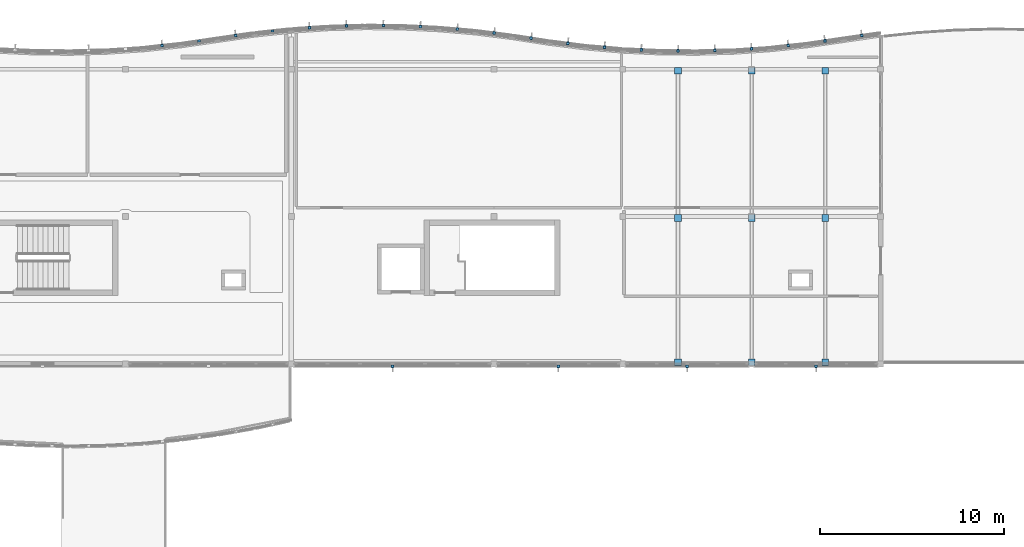
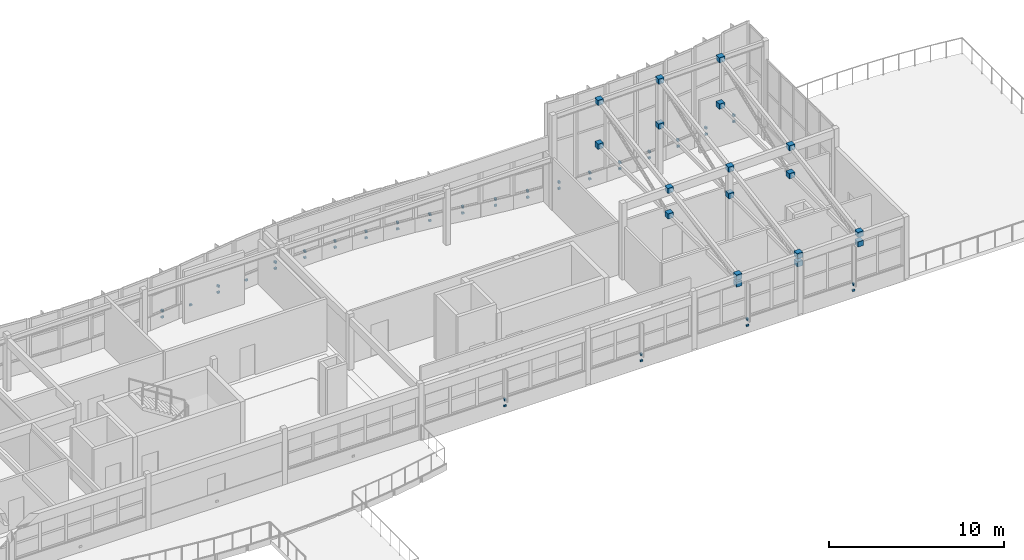
# One storey, part 26 of 33: 64 discrete accessories.
"""IFC4 building model written with IfcOpenShell, lengths in metres."""

from ifc_helpers import new_model, si_unit, direction, frame, origin, origin_2d, place, context, subcontext, project, spatial, rectangle, extrude, material, type_object, element, save


model = new_model("IFC4")

# Units and contexts
model_context = context("Model", 3, precision=1e-05, world=origin(), true_north=direction((0.0, 1.0)))
body_context = subcontext(model_context, "Body", "Model", "MODEL_VIEW")
ifc_project = project(units=[si_unit("LENGTHUNIT", "METRE"), si_unit("AREAUNIT", "SQUARE_METRE"), si_unit("VOLUMEUNIT", "CUBIC_METRE"), si_unit("PLANEANGLEUNIT", "RADIAN"), si_unit("MASSUNIT", "GRAM", prefix="KILO")], contexts=[model_context])

# Site, building, storey
site_placement = place(None, origin())
site = spatial("IfcSite", under=ifc_project, at=site_placement, CompositionType="ELEMENT")
building_placement = place(site_placement, origin())
building = spatial("IfcBuilding", under=site, at=building_placement, Name="Tonlespit Floodbar School", CompositionType="ELEMENT")
storey_placement = place(building_placement, frame((0.0, 0.0, 16.199951171875)))
storey = spatial("IfcBuildingStorey", under=building, at=storey_placement, Name="L04", CompositionType="ELEMENT", Elevation=16.199951171875)

# Discrete accessories
ifc_material_1 = material(Name="Galvanised Steel", Category="steel")
discrete_accessory_type_1 = type_object("IfcDiscreteAccessoryType", Name="Bracket_Facade_S355", PredefinedType="BRACKET", material=ifc_material_1)
discrete_accessory_1_placement = place(storey_placement, frame((108.986328125, 121.28125, 0.35498046875), z_axis=(0.0, 0.0, 1.0), x_axis=(0.99439234017, 0.105753835922, 0.0)))
element("IfcDiscreteAccessory", 1, at=discrete_accessory_1_placement, inside=storey, type_object=discrete_accessory_type_1, Name="L04 white band support bracket 0329", PredefinedType="BRACKET", context=body_context, shape_type="SweptSolid", body=[
    extrude(rectangle(XDim=0.159912109375, YDim=0.1201171875, at=origin_2d()), origin(), (0.0, 0.0, 1.0), 0.1201171875),
])
discrete_accessory_2_placement = place(storey_placement, frame((108.985107421875, 121.291259765625, 0.7802734375), z_axis=(0.0, 0.0, 1.0), x_axis=(0.99439234017, 0.105753835922, 0.0)))
element("IfcDiscreteAccessory", 2, at=discrete_accessory_2_placement, inside=storey, type_object=discrete_accessory_type_1, Name="Solar fin support bracket 090", PredefinedType="BRACKET", context=body_context, shape_type="SweptSolid", body=[
    extrude(rectangle(XDim=0.1201171875, YDim=0.179931640625, at=origin_2d()), origin(), (0.0, 0.0, 1.0), 0.139892578125),
])
for number, where, z_axis, x_axis, name in (
    (3, (110.981201171875, 121.53271484375, 0.35498046875), (0.0, 0.0, 1.0), (0.989537627347, 0.144275029245, 0.0), "L04 white band support bracket 0330"),
    (4, (112.981201171875, 121.824462890625, 0.35498046875), (0.0, 0.0, 1.0), (0.989537627347, 0.144275029245, 0.0), "L04 white band support bracket 0331"),
):
    element("IfcDiscreteAccessory", number, at=place(storey_placement, frame(where, z_axis=z_axis, x_axis=x_axis)), inside=storey, type_object=discrete_accessory_type_1, Name=name, PredefinedType="BRACKET", context=body_context, shape_type="SweptSolid", body=[
        extrude(rectangle(XDim=0.159912109375, YDim=0.1201171875, at=origin_2d()), origin(), (0.0, 0.0, 1.0), 0.1201171875),
    ])
discrete_accessory_3_placement = place(storey_placement, frame((112.979736328125, 121.834228515625, 0.7802734375), z_axis=(0.0, 0.0, 1.0), x_axis=(0.989537627347, 0.144275029245, 0.0)))
element("IfcDiscreteAccessory", 5, at=discrete_accessory_3_placement, inside=storey, type_object=discrete_accessory_type_1, Name="Solar fin support bracket 091", PredefinedType="BRACKET", context=body_context, shape_type="SweptSolid", body=[
    extrude(rectangle(XDim=0.1201171875, YDim=0.179931640625, at=origin_2d()), origin(), (0.0, 0.0, 1.0), 0.139892578125),
])
for number, where, z_axis, x_axis, name in (
    (6, (114.986328125, 122.0771484375, 0.35498046875), (0.0, 0.0, 1.0), (0.99439234017, 0.105753835922, 0.0), "L04 white band support bracket 0332"),
    (7, (116.9912109375, 122.25146484375, 0.35498046875), (0.0, 0.0, 1.0), (0.997729639049, 0.067346621018, 0.0), "L04 white band support bracket 0726"),
):
    element("IfcDiscreteAccessory", number, at=place(storey_placement, frame(where, z_axis=z_axis, x_axis=x_axis)), inside=storey, type_object=discrete_accessory_type_1, Name=name, PredefinedType="BRACKET", context=body_context, shape_type="SweptSolid", body=[
        extrude(rectangle(XDim=0.159912109375, YDim=0.1201171875, at=origin_2d()), origin(), (0.0, 0.0, 1.0), 0.1201171875),
    ])
discrete_accessory_4_placement = place(storey_placement, frame((116.990478515625, 122.261474609375, 0.7802734375), z_axis=(0.0, 0.0, 1.0), x_axis=(0.997729639049, 0.067346621018, 0.0)))
element("IfcDiscreteAccessory", 8, at=discrete_accessory_4_placement, inside=storey, type_object=discrete_accessory_type_1, Name="Solar fin support bracket 325", PredefinedType="BRACKET", context=body_context, shape_type="SweptSolid", body=[
    extrude(rectangle(XDim=0.1201171875, YDim=0.179931640625, at=origin_2d()), origin(), (0.0, 0.0, 1.0), 0.139892578125),
])
discrete_accessory_5_placement = place(storey_placement, frame((118.996337890625, 122.34814453125, 0.35498046875), z_axis=(0.0, 0.0, 1.0), x_axis=(0.999584110869, 0.02883756748, 0.0)))
element("IfcDiscreteAccessory", 9, at=discrete_accessory_5_placement, inside=storey, type_object=discrete_accessory_type_1, Name="L04 white band support bracket 0727", PredefinedType="BRACKET", context=body_context, shape_type="SweptSolid", body=[
    extrude(rectangle(XDim=0.159912109375, YDim=0.1201171875, at=origin_2d()), origin(), (0.0, 0.0, 1.0), 0.1201171875),
])
discrete_accessory_6_placement = place(storey_placement, frame((118.99609375, 122.358154296875, 0.7802734375), z_axis=(0.0, 0.0, 1.0), x_axis=(0.999584110869, 0.02883756748, 0.0)))
element("IfcDiscreteAccessory", 10, at=discrete_accessory_6_placement, inside=storey, type_object=discrete_accessory_type_1, Name="Solar fin support bracket 326", PredefinedType="BRACKET", context=body_context, shape_type="SweptSolid", body=[
    extrude(rectangle(XDim=0.1201171875, YDim=0.179931640625, at=origin_2d()), origin(), (0.0, 0.0, 1.0), 0.139892578125),
])
discrete_accessory_7_placement = place(storey_placement, frame((121.001220703125, 122.367431640625, 0.35498046875), z_axis=(0.0, 0.0, 1.0), x_axis=(0.999953926969, -0.009599163462, 0.0)))
element("IfcDiscreteAccessory", 11, at=discrete_accessory_7_placement, inside=storey, type_object=discrete_accessory_type_1, Name="L04 white band support bracket 0728", PredefinedType="BRACKET", context=body_context, shape_type="SweptSolid", body=[
    extrude(rectangle(XDim=0.159912109375, YDim=0.1201171875, at=origin_2d()), origin(), (0.0, 0.0, 1.0), 0.1201171875),
])
discrete_accessory_8_placement = place(storey_placement, frame((121.001220703125, 122.37744140625, 0.7802734375), z_axis=(0.0, 0.0, 1.0), x_axis=(0.999953926969, -0.009599163462, 0.0)))
element("IfcDiscreteAccessory", 12, at=discrete_accessory_8_placement, inside=storey, type_object=discrete_accessory_type_1, Name="Solar fin support bracket 327", PredefinedType="BRACKET", context=body_context, shape_type="SweptSolid", body=[
    extrude(rectangle(XDim=0.1201171875, YDim=0.179931640625, at=origin_2d()), origin(), (0.0, 0.0, 1.0), 0.139892578125),
])
discrete_accessory_9_placement = place(storey_placement, frame((123.00634765625, 122.3095703125, 0.35498046875), z_axis=(0.0, 0.0, 1.0), x_axis=(0.998842769234, -0.048094930587, 0.0)))
element("IfcDiscreteAccessory", 13, at=discrete_accessory_9_placement, inside=storey, type_object=discrete_accessory_type_1, Name="L04 white band support bracket 0729", PredefinedType="BRACKET", context=body_context, shape_type="SweptSolid", body=[
    extrude(rectangle(XDim=0.159912109375, YDim=0.1201171875, at=origin_2d()), origin(), (0.0, 0.0, 1.0), 0.1201171875),
])
discrete_accessory_10_placement = place(storey_placement, frame((123.006591796875, 122.319580078125, 0.7802734375), z_axis=(0.0, 0.0, 1.0), x_axis=(0.998842769234, -0.048094930587, 0.0)))
element("IfcDiscreteAccessory", 14, at=discrete_accessory_10_placement, inside=storey, type_object=discrete_accessory_type_1, Name="Solar fin support bracket 328", PredefinedType="BRACKET", context=body_context, shape_type="SweptSolid", body=[
    extrude(rectangle(XDim=0.1201171875, YDim=0.179931640625, at=origin_2d()), origin(), (0.0, 0.0, 1.0), 0.139892578125),
])
discrete_accessory_11_placement = place(storey_placement, frame((125.01123046875, 122.174072265625, 0.35498046875), z_axis=(0.0, 0.0, 1.0), x_axis=(0.996245486492, -0.086573267488, 0.0)))
element("IfcDiscreteAccessory", 15, at=discrete_accessory_11_placement, inside=storey, type_object=discrete_accessory_type_1, Name="L04 white band support bracket 0730", PredefinedType="BRACKET", context=body_context, shape_type="SweptSolid", body=[
    extrude(rectangle(XDim=0.159912109375, YDim=0.1201171875, at=origin_2d()), origin(), (0.0, 0.0, 1.0), 0.1201171875),
])
discrete_accessory_12_placement = place(storey_placement, frame((125.01220703125, 122.18408203125, 0.7802734375), z_axis=(0.0, 0.0, 1.0), x_axis=(0.996245486492, -0.086573267488, 0.0)))
element("IfcDiscreteAccessory", 16, at=discrete_accessory_12_placement, inside=storey, type_object=discrete_accessory_type_1, Name="Solar fin support bracket 329", PredefinedType="BRACKET", context=body_context, shape_type="SweptSolid", body=[
    extrude(rectangle(XDim=0.1201171875, YDim=0.179931640625, at=origin_2d()), origin(), (0.0, 0.0, 1.0), 0.139892578125),
])
discrete_accessory_13_placement = place(storey_placement, frame((127.016357421875, 121.960693359375, 0.35498046875), z_axis=(0.0, 0.0, 1.0), x_axis=(0.99215533612, -0.125011155539, 0.0)))
element("IfcDiscreteAccessory", 17, at=discrete_accessory_13_placement, inside=storey, type_object=discrete_accessory_type_1, Name="L04 white band support bracket 0731", PredefinedType="BRACKET", context=body_context, shape_type="SweptSolid", body=[
    extrude(rectangle(XDim=0.159912109375, YDim=0.1201171875, at=origin_2d()), origin(), (0.0, 0.0, 1.0), 0.1201171875),
])
discrete_accessory_14_placement = place(storey_placement, frame((127.017578125, 121.970703125, 0.7802734375), z_axis=(0.0, 0.0, 1.0), x_axis=(0.99215533612, -0.125011155539, 0.0)))
element("IfcDiscreteAccessory", 18, at=discrete_accessory_14_placement, inside=storey, type_object=discrete_accessory_type_1, Name="Solar fin support bracket 330", PredefinedType="BRACKET", context=body_context, shape_type="SweptSolid", body=[
    extrude(rectangle(XDim=0.1201171875, YDim=0.179931640625, at=origin_2d()), origin(), (0.0, 0.0, 1.0), 0.139892578125),
])
discrete_accessory_15_placement = place(storey_placement, frame((129.02001953125, 121.678466796875, 0.35498046875), z_axis=(0.0, 0.0, 1.0), x_axis=(0.988094768361, -0.153846445322, 0.0)))
element("IfcDiscreteAccessory", 19, at=discrete_accessory_15_placement, inside=storey, type_object=discrete_accessory_type_1, Name="L04 white band support bracket 0732", PredefinedType="BRACKET", context=body_context, shape_type="SweptSolid", body=[
    extrude(rectangle(XDim=0.159912109375, YDim=0.1201171875, at=origin_2d()), origin(), (0.0, 0.0, 1.0), 0.1201171875),
])
discrete_accessory_16_placement = place(storey_placement, frame((129.021484375, 121.688232421875, 0.7802734375), z_axis=(0.0, 0.0, 1.0), x_axis=(0.988094768361, -0.153846445322, 0.0)))
element("IfcDiscreteAccessory", 20, at=discrete_accessory_16_placement, inside=storey, type_object=discrete_accessory_type_1, Name="Solar fin support bracket 331", PredefinedType="BRACKET", context=body_context, shape_type="SweptSolid", body=[
    extrude(rectangle(XDim=0.1201171875, YDim=0.179931640625, at=origin_2d()), origin(), (0.0, 0.0, 1.0), 0.139892578125),
])
discrete_accessory_17_placement = place(storey_placement, frame((131.016357421875, 121.397216796875, 0.35498046875), z_axis=(0.0, 0.0, 1.0), x_axis=(0.99215533612, -0.125011155539, 0.0)))
element("IfcDiscreteAccessory", 21, at=discrete_accessory_17_placement, inside=storey, type_object=discrete_accessory_type_1, Name="L04 white band support bracket 0733", PredefinedType="BRACKET", context=body_context, shape_type="SweptSolid", body=[
    extrude(rectangle(XDim=0.159912109375, YDim=0.1201171875, at=origin_2d()), origin(), (0.0, 0.0, 1.0), 0.1201171875),
])
discrete_accessory_18_placement = place(storey_placement, frame((131.017578125, 121.4072265625, 0.7802734375), z_axis=(0.0, 0.0, 1.0), x_axis=(0.99215533612, -0.125011155539, 0.0)))
element("IfcDiscreteAccessory", 22, at=discrete_accessory_18_placement, inside=storey, type_object=discrete_accessory_type_1, Name="Solar fin support bracket 332", PredefinedType="BRACKET", context=body_context, shape_type="SweptSolid", body=[
    extrude(rectangle(XDim=0.1201171875, YDim=0.179931640625, at=origin_2d()), origin(), (0.0, 0.0, 1.0), 0.139892578125),
])
discrete_accessory_19_placement = place(storey_placement, frame((133.01123046875, 121.184814453125, 0.35498046875), z_axis=(0.0, 0.0, 1.0), x_axis=(0.996245486492, -0.086573267488, 0.0)))
element("IfcDiscreteAccessory", 23, at=discrete_accessory_19_placement, inside=storey, type_object=discrete_accessory_type_1, Name="L04 white band support bracket 0734", PredefinedType="BRACKET", context=body_context, shape_type="SweptSolid", body=[
    extrude(rectangle(XDim=0.159912109375, YDim=0.1201171875, at=origin_2d()), origin(), (0.0, 0.0, 1.0), 0.1201171875),
])
discrete_accessory_20_placement = place(storey_placement, frame((133.01220703125, 121.19482421875, 0.7802734375), z_axis=(0.0, 0.0, 1.0), x_axis=(0.996245486492, -0.086573267488, 0.0)))
element("IfcDiscreteAccessory", 24, at=discrete_accessory_20_placement, inside=storey, type_object=discrete_accessory_type_1, Name="Solar fin support bracket 333", PredefinedType="BRACKET", context=body_context, shape_type="SweptSolid", body=[
    extrude(rectangle(XDim=0.1201171875, YDim=0.179931640625, at=origin_2d()), origin(), (0.0, 0.0, 1.0), 0.139892578125),
])
discrete_accessory_21_placement = place(storey_placement, frame((135.00634765625, 121.05029296875, 0.35498046875), z_axis=(0.0, 0.0, 1.0), x_axis=(0.998842769234, -0.048094930587, 0.0)))
element("IfcDiscreteAccessory", 25, at=discrete_accessory_21_placement, inside=storey, type_object=discrete_accessory_type_1, Name="L04 white band support bracket 0735", PredefinedType="BRACKET", context=body_context, shape_type="SweptSolid", body=[
    extrude(rectangle(XDim=0.159912109375, YDim=0.1201171875, at=origin_2d()), origin(), (0.0, 0.0, 1.0), 0.1201171875),
])
discrete_accessory_22_placement = place(storey_placement, frame((135.006591796875, 121.060302734375, 0.7802734375), z_axis=(0.0, 0.0, 1.0), x_axis=(0.998842769234, -0.048094930587, 0.0)))
element("IfcDiscreteAccessory", 26, at=discrete_accessory_22_placement, inside=storey, type_object=discrete_accessory_type_1, Name="Solar fin support bracket 334", PredefinedType="BRACKET", context=body_context, shape_type="SweptSolid", body=[
    extrude(rectangle(XDim=0.1201171875, YDim=0.179931640625, at=origin_2d()), origin(), (0.0, 0.0, 1.0), 0.139892578125),
])
discrete_accessory_23_placement = place(storey_placement, frame((137.001220703125, 120.99267578125, 0.35498046875), z_axis=(0.0, 0.0, 1.0), x_axis=(0.999953926969, -0.009599163462, 0.0)))
element("IfcDiscreteAccessory", 27, at=discrete_accessory_23_placement, inside=storey, type_object=discrete_accessory_type_1, Name="L04 white band support bracket 0736", PredefinedType="BRACKET", context=body_context, shape_type="SweptSolid", body=[
    extrude(rectangle(XDim=0.159912109375, YDim=0.1201171875, at=origin_2d()), origin(), (0.0, 0.0, 1.0), 0.1201171875),
])
discrete_accessory_24_placement = place(storey_placement, frame((137.001220703125, 121.002685546875, 0.7802734375), z_axis=(0.0, 0.0, 1.0), x_axis=(0.999953926969, -0.009599163462, 0.0)))
element("IfcDiscreteAccessory", 28, at=discrete_accessory_24_placement, inside=storey, type_object=discrete_accessory_type_1, Name="Solar fin support bracket 335", PredefinedType="BRACKET", context=body_context, shape_type="SweptSolid", body=[
    extrude(rectangle(XDim=0.1201171875, YDim=0.179931640625, at=origin_2d()), origin(), (0.0, 0.0, 1.0), 0.139892578125),
])
discrete_accessory_25_placement = place(storey_placement, frame((138.996337890625, 121.01171875, 0.35498046875), z_axis=(0.0, 0.0, 1.0), x_axis=(0.999584110869, 0.02883756748, 0.0)))
element("IfcDiscreteAccessory", 29, at=discrete_accessory_25_placement, inside=storey, type_object=discrete_accessory_type_1, Name="L04 white band support bracket 0737", PredefinedType="BRACKET", context=body_context, shape_type="SweptSolid", body=[
    extrude(rectangle(XDim=0.159912109375, YDim=0.1201171875, at=origin_2d()), origin(), (0.0, 0.0, 1.0), 0.1201171875),
])
discrete_accessory_26_placement = place(storey_placement, frame((138.99609375, 121.021728515625, 0.7802734375), z_axis=(0.0, 0.0, 1.0), x_axis=(0.999584110869, 0.02883756748, 0.0)))
element("IfcDiscreteAccessory", 30, at=discrete_accessory_26_placement, inside=storey, type_object=discrete_accessory_type_1, Name="Solar fin support bracket 336", PredefinedType="BRACKET", context=body_context, shape_type="SweptSolid", body=[
    extrude(rectangle(XDim=0.1201171875, YDim=0.179931640625, at=origin_2d()), origin(), (0.0, 0.0, 1.0), 0.139892578125),
])
discrete_accessory_27_placement = place(storey_placement, frame((140.9912109375, 121.10791015625, 0.35498046875), z_axis=(0.0, 0.0, 1.0), x_axis=(0.997729639049, 0.067346621018, 0.0)))
element("IfcDiscreteAccessory", 31, at=discrete_accessory_27_placement, inside=storey, type_object=discrete_accessory_type_1, Name="L04 white band support bracket 0738", PredefinedType="BRACKET", context=body_context, shape_type="SweptSolid", body=[
    extrude(rectangle(XDim=0.159912109375, YDim=0.1201171875, at=origin_2d()), origin(), (0.0, 0.0, 1.0), 0.1201171875),
])
discrete_accessory_28_placement = place(storey_placement, frame((140.990478515625, 121.117919921875, 0.7802734375), z_axis=(0.0, 0.0, 1.0), x_axis=(0.997729639049, 0.067346621018, 0.0)))
element("IfcDiscreteAccessory", 32, at=discrete_accessory_28_placement, inside=storey, type_object=discrete_accessory_type_1, Name="Solar fin support bracket 337", PredefinedType="BRACKET", context=body_context, shape_type="SweptSolid", body=[
    extrude(rectangle(XDim=0.1201171875, YDim=0.179931640625, at=origin_2d()), origin(), (0.0, 0.0, 1.0), 0.139892578125),
])
discrete_accessory_29_placement = place(storey_placement, frame((142.986328125, 121.28125, 0.35498046875), z_axis=(0.0, 0.0, 1.0), x_axis=(0.99439234017, 0.105753835922, 0.0)))
element("IfcDiscreteAccessory", 33, at=discrete_accessory_29_placement, inside=storey, type_object=discrete_accessory_type_1, Name="L04 white band support bracket 0739", PredefinedType="BRACKET", context=body_context, shape_type="SweptSolid", body=[
    extrude(rectangle(XDim=0.159912109375, YDim=0.1201171875, at=origin_2d()), origin(), (0.0, 0.0, 1.0), 0.1201171875),
])
discrete_accessory_30_placement = place(storey_placement, frame((142.985107421875, 121.291259765625, 0.7802734375), z_axis=(0.0, 0.0, 1.0), x_axis=(0.99439234017, 0.105753835922, 0.0)))
element("IfcDiscreteAccessory", 34, at=discrete_accessory_30_placement, inside=storey, type_object=discrete_accessory_type_1, Name="Solar fin support bracket 338", PredefinedType="BRACKET", context=body_context, shape_type="SweptSolid", body=[
    extrude(rectangle(XDim=0.1201171875, YDim=0.179931640625, at=origin_2d()), origin(), (0.0, 0.0, 1.0), 0.139892578125),
])
discrete_accessory_31_placement = place(storey_placement, frame((144.981201171875, 121.53271484375, 0.35498046875), z_axis=(0.0, 0.0, 1.0), x_axis=(0.989537627347, 0.144275029245, 0.0)))
element("IfcDiscreteAccessory", 35, at=discrete_accessory_31_placement, inside=storey, type_object=discrete_accessory_type_1, Name="L04 white band support bracket 0740", PredefinedType="BRACKET", context=body_context, shape_type="SweptSolid", body=[
    extrude(rectangle(XDim=0.159912109375, YDim=0.1201171875, at=origin_2d()), origin(), (0.0, 0.0, 1.0), 0.1201171875),
])
discrete_accessory_32_placement = place(storey_placement, frame((144.979736328125, 121.542724609375, 0.7802734375), z_axis=(0.0, 0.0, 1.0), x_axis=(0.989537627347, 0.144275029245, 0.0)))
element("IfcDiscreteAccessory", 36, at=discrete_accessory_32_placement, inside=storey, type_object=discrete_accessory_type_1, Name="Solar fin support bracket 339", PredefinedType="BRACKET", context=body_context, shape_type="SweptSolid", body=[
    extrude(rectangle(XDim=0.1201171875, YDim=0.179931640625, at=origin_2d()), origin(), (0.0, 0.0, 1.0), 0.139892578125),
])
discrete_accessory_33_placement = place(storey_placement, frame((146.981201171875, 121.824462890625, 0.35498046875), z_axis=(0.0, 0.0, 1.0), x_axis=(0.989537627347, 0.144275029245, 0.0)))
element("IfcDiscreteAccessory", 37, at=discrete_accessory_33_placement, inside=storey, type_object=discrete_accessory_type_1, Name="L04 white band support bracket 0741", PredefinedType="BRACKET", context=body_context, shape_type="SweptSolid", body=[
    extrude(rectangle(XDim=0.159912109375, YDim=0.1201171875, at=origin_2d()), origin(), (0.0, 0.0, 1.0), 0.1201171875),
])
discrete_accessory_34_placement = place(storey_placement, frame((146.979736328125, 121.834228515625, 0.7802734375), z_axis=(0.0, 0.0, 1.0), x_axis=(0.989537627347, 0.144275029245, 0.0)))
element("IfcDiscreteAccessory", 38, at=discrete_accessory_34_placement, inside=storey, type_object=discrete_accessory_type_1, Name="Solar fin support bracket 340", PredefinedType="BRACKET", context=body_context, shape_type="SweptSolid", body=[
    extrude(rectangle(XDim=0.1201171875, YDim=0.179931640625, at=origin_2d()), origin(), (0.0, 0.0, 1.0), 0.139892578125),
])
discrete_accessory_35_placement = place(storey_placement, frame((144.5, 103.8701171875, 0.35498046875), z_axis=(0.0, 0.0, 1.0), x_axis=(-1.0, 0.0, 0.0)))
element("IfcDiscreteAccessory", 39, at=discrete_accessory_35_placement, inside=storey, type_object=discrete_accessory_type_1, Name="L04 white band support bracket 0742", PredefinedType="BRACKET", context=body_context, shape_type="SweptSolid", body=[
    extrude(rectangle(XDim=0.159912109375, YDim=0.1201171875, at=origin_2d()), origin(), (0.0, 0.0, 1.0), 0.1201171875),
])
discrete_accessory_36_placement = place(storey_placement, frame((144.5, 103.860107421875, 0.7802734375), z_axis=(0.0, 0.0, 1.0), x_axis=(-1.0, 0.0, 0.0)))
element("IfcDiscreteAccessory", 40, at=discrete_accessory_36_placement, inside=storey, type_object=discrete_accessory_type_1, Name="Solar fin support bracket 341", PredefinedType="BRACKET", context=body_context, shape_type="SweptSolid", body=[
    extrude(rectangle(XDim=0.1201171875, YDim=0.179931640625, at=origin_2d()), origin(), (0.0, 0.0, 1.0), 0.139892578125),
])
discrete_accessory_37_placement = place(storey_placement, frame((137.5, 103.8701171875, 0.35498046875), z_axis=(0.0, 0.0, 1.0), x_axis=(-1.0, 0.0, 0.0)))
element("IfcDiscreteAccessory", 41, at=discrete_accessory_37_placement, inside=storey, type_object=discrete_accessory_type_1, Name="L04 white band support bracket 0743", PredefinedType="BRACKET", context=body_context, shape_type="SweptSolid", body=[
    extrude(rectangle(XDim=0.159912109375, YDim=0.1201171875, at=origin_2d()), origin(), (0.0, 0.0, 1.0), 0.1201171875),
])
discrete_accessory_38_placement = place(storey_placement, frame((137.5, 103.860107421875, 0.7802734375), z_axis=(0.0, 0.0, 1.0), x_axis=(-1.0, 0.0, 0.0)))
element("IfcDiscreteAccessory", 42, at=discrete_accessory_38_placement, inside=storey, type_object=discrete_accessory_type_1, Name="Solar fin support bracket 342", PredefinedType="BRACKET", context=body_context, shape_type="SweptSolid", body=[
    extrude(rectangle(XDim=0.1201171875, YDim=0.179931640625, at=origin_2d()), origin(), (0.0, 0.0, 1.0), 0.139892578125),
])
discrete_accessory_39_placement = place(storey_placement, frame((130.5, 103.8701171875, 0.35498046875), z_axis=(0.0, 0.0, 1.0), x_axis=(-1.0, 0.0, 0.0)))
element("IfcDiscreteAccessory", 43, at=discrete_accessory_39_placement, inside=storey, type_object=discrete_accessory_type_1, Name="L04 white band support bracket 0744", PredefinedType="BRACKET", context=body_context, shape_type="SweptSolid", body=[
    extrude(rectangle(XDim=0.159912109375, YDim=0.1201171875, at=origin_2d()), origin(), (0.0, 0.0, 1.0), 0.1201171875),
])
discrete_accessory_40_placement = place(storey_placement, frame((130.5, 103.860107421875, 0.7802734375), z_axis=(0.0, 0.0, 1.0), x_axis=(-1.0, 0.0, 0.0)))
element("IfcDiscreteAccessory", 44, at=discrete_accessory_40_placement, inside=storey, type_object=discrete_accessory_type_1, Name="Solar fin support bracket 343", PredefinedType="BRACKET", context=body_context, shape_type="SweptSolid", body=[
    extrude(rectangle(XDim=0.1201171875, YDim=0.179931640625, at=origin_2d()), origin(), (0.0, 0.0, 1.0), 0.139892578125),
])
discrete_accessory_41_placement = place(storey_placement, frame((121.5, 103.8701171875, 0.35498046875), z_axis=(0.0, 0.0, 1.0), x_axis=(-1.0, 0.0, 0.0)))
element("IfcDiscreteAccessory", 45, at=discrete_accessory_41_placement, inside=storey, type_object=discrete_accessory_type_1, Name="L04 white band support bracket 0745", PredefinedType="BRACKET", context=body_context, shape_type="SweptSolid", body=[
    extrude(rectangle(XDim=0.159912109375, YDim=0.1201171875, at=origin_2d()), origin(), (0.0, 0.0, 1.0), 0.1201171875),
])
discrete_accessory_42_placement = place(storey_placement, frame((121.5, 103.860107421875, 0.7802734375), z_axis=(0.0, 0.0, 1.0), x_axis=(-1.0, 0.0, 0.0)))
element("IfcDiscreteAccessory", 46, at=discrete_accessory_42_placement, inside=storey, type_object=discrete_accessory_type_1, Name="Solar fin support bracket 344", PredefinedType="BRACKET", context=body_context, shape_type="SweptSolid", body=[
    extrude(rectangle(XDim=0.1201171875, YDim=0.179931640625, at=origin_2d()), origin(), (0.0, 0.0, 1.0), 0.139892578125),
])
ifc_material_2 = material(Name="Steel S355", Category="steel")
discrete_accessory_type_2 = type_object("IfcDiscreteAccessoryType", Name="GussetShoe_Brace_S355", PredefinedType="SHOE", material=ifc_material_2)
for number, where, z_axis, x_axis, name in (
    (47, (137.0, 104.080078125, 3.27001953125), (0.0, 0.0, 1.0), (1.0, 0.0, 0.0), "L04 brace and chord end gusset shoe 0001"),
    (48, (137.0, 111.919921875, 3.27001953125), (0.0, 0.0, 1.0), (1.0, 0.0, 0.0), "L04 brace and chord end gusset shoe 0002"),
    (49, (137.0, 104.080078125, 3.76220703125), (0.0, 0.0, 1.0), (1.0, 0.0, 0.0), "L04 brace and chord end gusset shoe 0003"),
    (50, (137.0, 111.919921875, 5.0458984375), (0.0, 0.0, 1.0), (1.0, 0.0, 0.0), "L04 brace and chord end gusset shoe 0004"),
    (51, (137.0, 119.919921875, 3.27001953125), (0.0, 0.0, 1.0), (1.0, 0.0, 0.0), "L04 brace and chord end gusset shoe 0005"),
    (52, (137.0, 119.919921875, 6.3291015625), (0.0, 0.0, 1.0), (1.0, 0.0, 0.0), "L04 brace and chord end gusset shoe 0006"),
    (53, (141.0, 104.080078125, 3.27001953125), (0.0, 0.0, 1.0), (1.0, 0.0, 0.0), "L04 brace and chord end gusset shoe 0007"),
    (54, (141.0, 111.919921875, 3.27001953125), (0.0, 0.0, 1.0), (1.0, 0.0, 0.0), "L04 brace and chord end gusset shoe 0008"),
    (55, (141.0, 104.080078125, 3.84521484375), (0.0, 0.0, 1.0), (1.0, 0.0, 0.0), "L04 brace and chord end gusset shoe 0009"),
    (56, (141.0, 111.919921875, 5.12841796875), (0.0, 0.0, 1.0), (1.0, 0.0, 0.0), "L04 brace and chord end gusset shoe 0010"),
    (57, (141.0, 119.919921875, 3.27001953125), (0.0, 0.0, 1.0), (1.0, 0.0, 0.0), "L04 brace and chord end gusset shoe 0011"),
    (58, (141.0, 119.919921875, 6.412109375), (0.0, 0.0, 1.0), (1.0, 0.0, 0.0), "L04 brace and chord end gusset shoe 0012"),
    (59, (145.0, 104.080078125, 3.27001953125), (0.0, 0.0, 1.0), (1.0, 0.0, 0.0), "L04 brace and chord end gusset shoe 0013"),
    (60, (145.0, 111.919921875, 3.27001953125), (0.0, 0.0, 1.0), (1.0, 0.0, 0.0), "L04 brace and chord end gusset shoe 0014"),
    (61, (145.0, 104.080078125, 3.927734375), (0.0, 0.0, 1.0), (1.0, 0.0, 0.0), "L04 brace and chord end gusset shoe 0015"),
    (62, (145.0, 111.919921875, 5.21142578125), (0.0, 0.0, 1.0), (1.0, 0.0, 0.0), "L04 brace and chord end gusset shoe 0016"),
    (63, (145.0, 119.919921875, 3.27001953125), (0.0, 0.0, 1.0), (1.0, 0.0, 0.0), "L04 brace and chord end gusset shoe 0017"),
    (64, (145.0, 119.919921875, 6.49462890625), (0.0, 0.0, 1.0), (1.0, 0.0, 0.0), "L04 brace and chord end gusset shoe 0018"),
):
    element("IfcDiscreteAccessory", number, at=place(storey_placement, frame(where, z_axis=z_axis, x_axis=x_axis)), inside=storey, type_object=discrete_accessory_type_2, Name=name, PredefinedType="SHOE", context=body_context, shape_type="SweptSolid", body=[
        extrude(rectangle(XDim=0.360107421875, YDim=0.360107421875, at=origin_2d()), origin(), (0.0, 0.0, 1.0), 0.360107421875),
    ])

save(model, "model.ifc")
